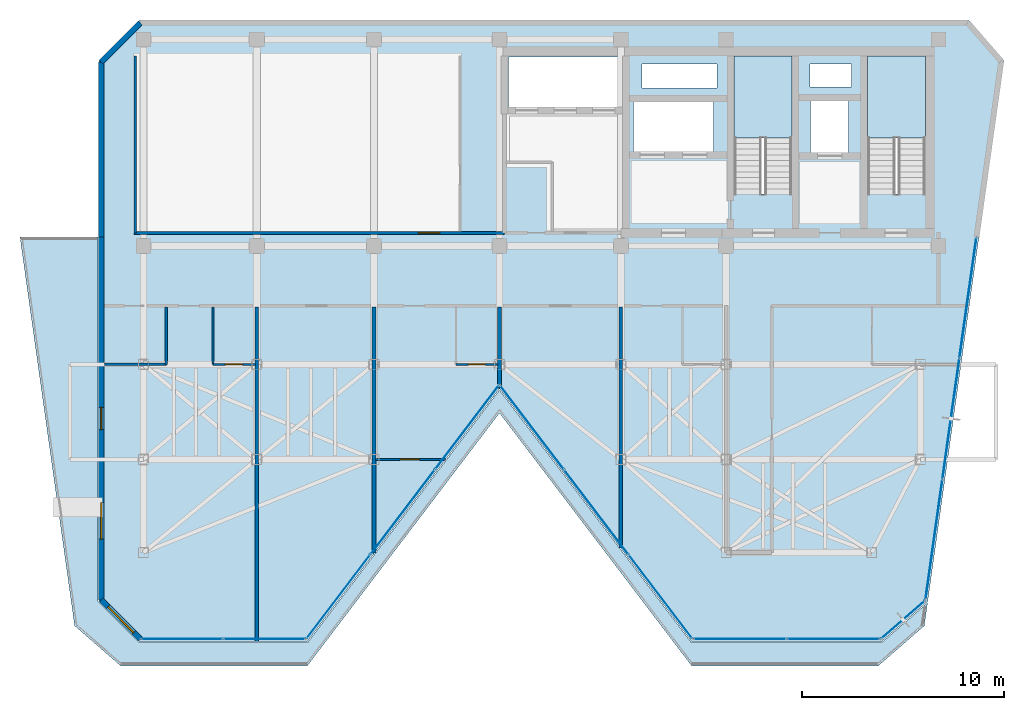
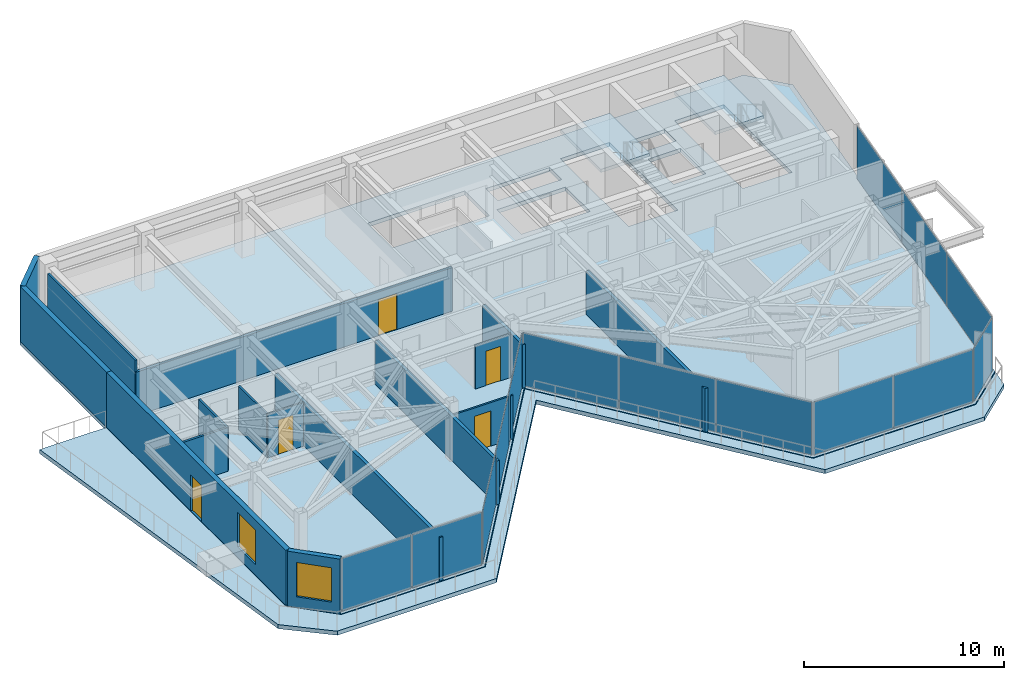
# One storey, part 16 of 20: 16 walls, 14 plates, 5 doors, 4 slabs, 2 windows, 7 openings, 8 elements without a shape of their own.
"""IFC4 building model written with IfcOpenShell, lengths in metres."""

from ifc_helpers import new_model, si_unit, direction, frame, frame_2d, origin, origin_2d, place, context, subcontext, project, spatial, polyline, rectangle, outline, extrude, material, layer, layer_set, type_object, element, fill, aggregate, save


model = new_model("IFC4")

# Units and contexts
model_context = context("Model", 3, precision=1e-05, world=origin(), true_north=direction((0.0, 1.0)))
body_context = subcontext(model_context, "Body", "Model", "MODEL_VIEW")
ifc_project = project(units=[si_unit("LENGTHUNIT", "METRE"), si_unit("AREAUNIT", "SQUARE_METRE"), si_unit("VOLUMEUNIT", "CUBIC_METRE"), si_unit("PLANEANGLEUNIT", "RADIAN"), si_unit("MASSUNIT", "GRAM", prefix="KILO")], contexts=[model_context])

# Site, building, storey
site_placement = place(None, origin())
site = spatial("IfcSite", under=ifc_project, at=site_placement, CompositionType="ELEMENT")
building_placement = place(site_placement, origin())
building = spatial("IfcBuilding", under=site, at=building_placement, Name="Kravanh Interchange Tower", CompositionType="ELEMENT")
storey_placement = place(building_placement, frame((0.0, 0.0, 245.39990234375)))
storey = spatial("IfcBuildingStorey", under=building, at=storey_placement, Name="L59", CompositionType="ELEMENT", Elevation=245.39990234375)

# Curtain wall, plates
ifc_material_1 = material(Name="Anodised Bronze Aluminium", Category="aluminium")
ifc_layer_1 = layer(ifc_material_1, 0.179931640625)
ifc_layer_set_1 = layer_set([ifc_layer_1], Name="Unitised Curtain Wall System CW-HTL Luxury Hotel")
curtain_wall_type = type_object("IfcCurtainWallType", Name="Unitised Curtain Wall System CW-HTL Luxury Hotel", PredefinedType="NOTDEFINED", material=ifc_layer_set_1)
curtain_wall_1_placement = place(storey_placement, origin())
curtain_wall_1 = element("IfcCurtainWall", 1, at=curtain_wall_1_placement, inside=storey, type_object=curtain_wall_type, Name="L59 Unitised Curtain Wall CW-L59-01", PredefinedType="NOTDEFINED")
ifc_material_2 = material(Name="Low-E Laminated Architectural Glass", Category="glass")
ifc_layer_2 = layer(ifc_material_2, 0.030029296875)
ifc_layer_set_2 = layer_set([ifc_layer_2], Name="Acoustic Laminated Glazing 30mm")
plate_type = type_object("IfcPlateType", Name="Acoustic Laminated Glazing 30mm", PredefinedType="CURTAIN_PANEL", material=ifc_layer_set_2)
plate_1_placement = place(storey_placement, frame((67.9521484375, 34.7919921875, 0.06005859375), z_axis=(0.0, 0.0, 1.0), x_axis=(-0.139173721418, -0.990267981542, 0.0)))
plate_1 = element("IfcPlate", 2, at=plate_1_placement, type_object=plate_type, Name="CW-HTL panel 1.1", PredefinedType="CURTAIN_PANEL", context=body_context, shape_type="SweptSolid", body=[
    extrude(rectangle(XDim=5.955078125, YDim=0.030029296875, at=origin_2d()), origin(), (0.0, 0.0, 1.0), 3.239990234375),
])
plate_2_placement = place(storey_placement, frame((67.113037109375, 28.82080078125, 0.06005859375), z_axis=(0.0, 0.0, 1.0), x_axis=(-0.139173721418, -0.990267981542, 0.0)))
plate_2 = element("IfcPlate", 3, at=plate_2_placement, type_object=plate_type, Name="CW-HTL panel 2.1", PredefinedType="CURTAIN_PANEL", context=body_context, shape_type="SweptSolid", body=[
    extrude(rectangle(XDim=5.98486328125, YDim=0.030029296875, at=origin_2d()), origin(), (0.0, 0.0, 1.0), 3.239990234375),
])
plate_3_placement = place(storey_placement, frame((66.27392578125, 22.849609375, 0.06005859375), z_axis=(0.0, 0.0, 1.0), x_axis=(-0.139173721418, -0.990267981542, 0.0)))
plate_3 = element("IfcPlate", 4, at=plate_3_placement, type_object=plate_type, Name="CW-HTL panel 3.1", PredefinedType="CURTAIN_PANEL", context=body_context, shape_type="SweptSolid", body=[
    extrude(rectangle(XDim=5.955078125, YDim=0.030029296875, at=origin_2d()), origin(), (0.0, 0.0, 1.0), 3.239990234375),
])
aggregate(curtain_wall_1, [plate_1, plate_2, plate_3])

# Curtain wall, plate
curtain_wall_2_placement = place(storey_placement, origin())
curtain_wall_2 = element("IfcCurtainWall", 5, at=curtain_wall_2_placement, inside=storey, type_object=curtain_wall_type, Name="L59 Unitised Curtain Wall CW-L59-02", PredefinedType="NOTDEFINED")
plate_4_placement = place(storey_placement, frame((64.745849609375, 18.880859375, 0.06005859375), z_axis=(0.0, 0.0, 1.0), x_axis=(-0.754717231494, -0.656050227106, 0.0)))
plate_4 = element("IfcPlate", 6, at=plate_4_placement, type_object=plate_type, Name="CW-HTL panel 1.1", PredefinedType="CURTAIN_PANEL", context=body_context, shape_type="SweptSolid", body=[
    extrude(rectangle(XDim=2.80908203125, YDim=0.030029296875, at=origin_2d()), origin(), (0.0, 0.0, 1.0), 3.239990234375),
])
aggregate(curtain_wall_2, [plate_4])

# Curtain wall, plates
curtain_wall_3_placement = place(storey_placement, origin())
curtain_wall_3 = element("IfcCurtainWall", 7, at=curtain_wall_3_placement, inside=storey, type_object=curtain_wall_type, Name="L59 Unitised Curtain Wall CW-L59-03", PredefinedType="NOTDEFINED")
plate_5_placement = place(storey_placement, frame((61.30517578125, 17.919921875, 0.06005859375), z_axis=(0.0, 0.0, 1.0), x_axis=(-1.0, 0.0, 0.0)))
plate_5 = element("IfcPlate", 8, at=plate_5_placement, type_object=plate_type, Name="CW-HTL panel 1.1", PredefinedType="CURTAIN_PANEL", context=body_context, shape_type="SweptSolid", body=[
    extrude(rectangle(XDim=4.550537109375, YDim=0.030029296875, at=origin_2d()), origin(), (0.0, 0.0, 1.0), 3.239990234375),
])
plate_6_placement = place(storey_placement, frame((56.69482421875, 17.919921875, 0.06005859375), z_axis=(0.0, 0.0, 1.0), x_axis=(-1.0, 0.0, 0.0)))
plate_6 = element("IfcPlate", 9, at=plate_6_placement, type_object=plate_type, Name="CW-HTL panel 2.1", PredefinedType="CURTAIN_PANEL", context=body_context, shape_type="SweptSolid", body=[
    extrude(rectangle(XDim=4.550537109375, YDim=0.030029296875, at=origin_2d()), origin(), (0.0, 0.0, 1.0), 3.239990234375),
])
aggregate(curtain_wall_3, [plate_5, plate_6])

curtain_wall_4_placement = place(storey_placement, origin())
curtain_wall_4 = element("IfcCurtainWall", 10, at=curtain_wall_4_placement, inside=storey, type_object=curtain_wall_type, Name="L59 Unitised Curtain Wall CW-L59-04", PredefinedType="NOTDEFINED")
plate_7_placement = place(storey_placement, frame((52.757080078125, 20.0283203125, 0.06005859375), z_axis=(0.0, 0.0, 1.0), x_axis=(-0.605082946564, 0.79616243806, 0.0)))
plate_7 = element("IfcPlate", 11, at=plate_7_placement, type_object=plate_type, Name="CW-HTL panel 1.1", PredefinedType="CURTAIN_PANEL", context=body_context, shape_type="SweptSolid", body=[
    extrude(rectangle(XDim=5.17626953125, YDim=0.030029296875, at=origin_2d()), origin(), (0.0, 0.0, 1.0), 3.239990234375),
])
plate_8_placement = place(storey_placement, frame((49.579833984375, 24.209228515625, 0.06005859375), z_axis=(0.0, 0.0, 1.0), x_axis=(-0.605082946564, 0.79616243806, 0.0)))
plate_8 = element("IfcPlate", 12, at=plate_8_placement, type_object=plate_type, Name="CW-HTL panel 2.1", PredefinedType="CURTAIN_PANEL", context=body_context, shape_type="SweptSolid", body=[
    extrude(rectangle(XDim=5.206298828125, YDim=0.030029296875, at=origin_2d()), origin(), (0.0, 0.0, 1.0), 3.239990234375),
])
plate_9_placement = place(storey_placement, frame((46.40234375, 28.389892578125, 0.06005859375), z_axis=(0.0, 0.0, 1.0), x_axis=(-0.605082946564, 0.79616243806, 0.0)))
plate_9 = element("IfcPlate", 13, at=plate_9_placement, type_object=plate_type, Name="CW-HTL panel 3.1", PredefinedType="CURTAIN_PANEL", context=body_context, shape_type="SweptSolid", body=[
    extrude(rectangle(XDim=5.17626953125, YDim=0.030029296875, at=origin_2d()), origin(), (0.0, 0.0, 1.0), 3.239990234375),
])
aggregate(curtain_wall_4, [plate_7, plate_8, plate_9])

curtain_wall_5_placement = place(storey_placement, origin())
curtain_wall_5 = element("IfcCurtainWall", 14, at=curtain_wall_5_placement, inside=storey, type_object=curtain_wall_type, Name="L59 Unitised Curtain Wall CW-L59-05", PredefinedType="NOTDEFINED")
plate_10_placement = place(storey_placement, frame((43.19775390625, 28.389892578125, 0.06005859375), z_axis=(0.0, 0.0, 1.0), x_axis=(-0.605082946564, -0.79616243806, 0.0)))
plate_10 = element("IfcPlate", 15, at=plate_10_placement, type_object=plate_type, Name="CW-HTL panel 1.1", PredefinedType="CURTAIN_PANEL", context=body_context, shape_type="SweptSolid", body=[
    extrude(rectangle(XDim=5.17626953125, YDim=0.030029296875, at=origin_2d()), origin(), (0.0, 0.0, 1.0), 3.239990234375),
])
plate_11_placement = place(storey_placement, frame((40.020263671875, 24.209228515625, 0.06005859375), z_axis=(0.0, 0.0, 1.0), x_axis=(-0.605082946564, -0.79616243806, 0.0)))
plate_11 = element("IfcPlate", 16, at=plate_11_placement, type_object=plate_type, Name="CW-HTL panel 2.1", PredefinedType="CURTAIN_PANEL", context=body_context, shape_type="SweptSolid", body=[
    extrude(rectangle(XDim=5.206298828125, YDim=0.030029296875, at=origin_2d()), origin(), (0.0, 0.0, 1.0), 3.239990234375),
])
plate_12_placement = place(storey_placement, frame((36.8427734375, 20.0283203125, 0.06005859375), z_axis=(0.0, 0.0, 1.0), x_axis=(-0.605082946564, -0.79616243806, 0.0)))
plate_12 = element("IfcPlate", 17, at=plate_12_placement, type_object=plate_type, Name="CW-HTL panel 3.1", PredefinedType="CURTAIN_PANEL", context=body_context, shape_type="SweptSolid", body=[
    extrude(rectangle(XDim=5.17626953125, YDim=0.030029296875, at=origin_2d()), origin(), (0.0, 0.0, 1.0), 3.239990234375),
])
aggregate(curtain_wall_5, [plate_10, plate_11, plate_12])

curtain_wall_6_placement = place(storey_placement, origin())
curtain_wall_6 = element("IfcCurtainWall", 18, at=curtain_wall_6_placement, inside=storey, type_object=curtain_wall_type, Name="L59 Unitised Curtain Wall CW-L59-06", PredefinedType="NOTDEFINED")
plate_13_placement = place(storey_placement, frame((33.177734375, 17.919921875, 0.06005859375), z_axis=(0.0, 0.0, 1.0), x_axis=(-1.0, 0.0, 0.0)))
plate_13 = element("IfcPlate", 19, at=plate_13_placement, type_object=plate_type, Name="CW-HTL panel 1.1", PredefinedType="CURTAIN_PANEL", context=body_context, shape_type="SweptSolid", body=[
    extrude(rectangle(XDim=4.00537109375, YDim=0.030029296875, at=origin_2d()), origin(), (0.0, 0.0, 1.0), 3.239990234375),
])
plate_14_placement = place(storey_placement, frame((29.1123046875, 17.919921875, 0.06005859375), z_axis=(0.0, 0.0, 1.0), x_axis=(-1.0, 0.0, 0.0)))
plate_14 = element("IfcPlate", 20, at=plate_14_placement, type_object=plate_type, Name="CW-HTL panel 2.1", PredefinedType="CURTAIN_PANEL", context=body_context, shape_type="SweptSolid", body=[
    extrude(rectangle(XDim=4.00537109375, YDim=0.030029296875, at=origin_2d()), origin(), (0.0, 0.0, 1.0), 3.239990234375),
])
aggregate(curtain_wall_6, [plate_13, plate_14])

# Slab
ifc_material_3 = material(Name="Concrete C50/60", Category="concrete")
ifc_layer_3 = layer(ifc_material_3, 0.239990234375)
ifc_layer_set_3 = layer_set([ifc_layer_3], Name="Composite Floor Slab Concrete C50/60 240mm")
slab_type_1 = type_object("IfcSlabType", Name="Composite Floor Slab Concrete C50/60 240mm", PredefinedType="FLOOR", material=ifc_layer_set_3)
slab_1_placement = place(storey_placement, frame((0.0, 0.0, -0.239990234375)))
element("IfcSlab", 21, at=slab_1_placement, inside=storey, type_object=slab_type_1, Name="L59 Structural Floor Slab", PredefinedType="FLOOR", context=body_context, shape_type="SweptSolid", body=[
    extrude(outline(polyline([(25.0, 19.800048828125), (27.0, 17.800048828125), (35.300048828125, 17.800048828125), (44.800048828125, 30.300048828125), (54.300048828125, 17.800048828125), (63.685302734375, 17.800048828125), (65.963623046875, 19.780517578125), (69.7216796875, 46.51953125), (68.0, 48.5), (27.0, 48.5), (25.0, 46.5), (25.0, 19.800048828125)]), holes=[polyline([(65.85009765625, 39.925048828125), (65.85009765625, 46.75), (63.0, 46.75), (63.0, 39.925048828125), (65.85009765625, 39.925048828125)]), polyline([(59.25, 39.925048828125), (59.25, 46.75), (56.39990234375, 46.75), (56.39990234375, 39.925048828125), (59.25, 39.925048828125)]), polyline([(45.239990234375, 44.219970703125), (50.840087890625, 44.219970703125), (50.840087890625, 46.699951171875), (45.239990234375, 46.699951171875), (45.239990234375, 44.219970703125)]), polyline([(51.419921875, 42.02001953125), (55.3798828125, 42.02001953125), (55.3798828125, 44.47998046875), (51.419921875, 44.47998046875), (51.419921875, 42.02001953125)]), polyline([(60.179931640625, 41.97998046875), (62.06005859375, 41.97998046875), (62.06005859375, 44.52001953125), (60.179931640625, 44.52001953125), (60.179931640625, 41.97998046875)]), polyline([(60.14990234375, 45.199951171875), (62.199951171875, 45.199951171875), (62.199951171875, 46.35009765625), (60.14990234375, 46.35009765625), (60.14990234375, 45.199951171875)]), polyline([(51.85009765625, 45.14990234375), (55.550048828125, 45.14990234375), (55.550048828125, 46.35009765625), (51.85009765625, 46.35009765625), (51.85009765625, 45.14990234375)])]), origin(), (0.0, 0.0, 1.0), 0.239990234375),
])

# Stair, slab
ifc_material_4 = material(Name="Concrete C50/60", Category="concrete")
stair_type = type_object("IfcStairType", Name="Core Fire Exit Dogleg Stair Concrete C50/60", PredefinedType="HALF_TURN_STAIR", material=ifc_material_4)
stair_1_placement = place(storey_placement, origin())
stair_1 = element("IfcStair", 22, at=stair_1_placement, inside=storey, type_object=stair_type, Name="L59 Exit Stair ST1", PredefinedType="HALF_TURN_STAIR")
ifc_material_5 = material(Name="Concrete C50/60", Category="concrete")
ifc_layer_4 = layer(ifc_material_5, 0.199951171875)
ifc_layer_set_4 = layer_set([ifc_layer_4], Name="Concrete C50/60 Stair Half-Landing Slab 200mm")
slab_type_2 = type_object("IfcSlabType", Name="Concrete C50/60 Stair Half-Landing Slab 200mm", PredefinedType="LANDING", material=ifc_layer_set_4)
slab_2_placement = place(storey_placement, frame((0.0, 0.0, 1.60009765625)))
slab_2 = element("IfcSlab", 23, at=slab_2_placement, type_object=slab_type_2, Name="ST1 landing 1", PredefinedType="LANDING", context=body_context, shape_type="SweptSolid", body=[
    extrude(outline(polyline([(65.85009765625, 42.699951171875), (65.85009765625, 46.75), (63.0, 46.75), (63.0, 42.699951171875), (65.85009765625, 42.699951171875)])), origin(), (0.0, 0.0, 1.0), 0.199951171875),
])
aggregate(stair_1, [slab_2])

stair_2_placement = place(storey_placement, origin())
stair_2 = element("IfcStair", 24, at=stair_2_placement, inside=storey, type_object=stair_type, Name="L59 Exit Stair ST2", PredefinedType="HALF_TURN_STAIR")
slab_3_placement = place(storey_placement, frame((0.0, 0.0, 1.60009765625)))
slab_3 = element("IfcSlab", 25, at=slab_3_placement, type_object=slab_type_2, Name="ST2 landing 1", PredefinedType="LANDING", context=body_context, shape_type="SweptSolid", body=[
    extrude(outline(polyline([(59.25, 42.699951171875), (59.25, 46.75), (56.39990234375, 46.75), (56.39990234375, 42.699951171875), (59.25, 42.699951171875)])), origin(), (0.0, 0.0, 1.0), 0.199951171875),
])
aggregate(stair_2, [slab_3])

# Slab
ifc_material_6 = material(Name="Concrete C50/60", Category="concrete")
ifc_layer_5 = layer(ifc_material_6, 0.25)
ifc_layer_set_5 = layer_set([ifc_layer_5], Name="Insulated Terrace Roof Slab Concrete C50/60 250mm")
slab_type_3 = type_object("IfcSlabType", Name="Insulated Terrace Roof Slab Concrete C50/60 250mm", PredefinedType="ROOF", material=ifc_layer_set_5)
slab_4_placement = place(storey_placement, frame((0.0, 0.0, -0.25)))
element("IfcSlab", 26, at=slab_4_placement, inside=storey, type_object=slab_type_3, Name="L59 Stepped Terrace Roof 1", PredefinedType="ROOF", context=body_context, shape_type="SweptSolid", body=[
    extrude(outline(polyline([(63.5166015625, 16.60009765625), (54.300048828125, 16.60009765625), (44.800048828125, 29.10009765625), (35.300048828125, 16.60009765625), (26.083251953125, 16.60009765625), (23.804931640625, 18.58056640625), (21.103759765625, 37.800048828125), (24.9599609375, 37.800048828125), (24.9599609375, 19.783447265625), (26.9833984375, 17.760009765625), (35.31982421875, 17.760009765625), (44.800048828125, 30.23388671875), (54.2802734375, 17.760009765625), (63.700439453125, 17.760009765625), (65.955322265625, 19.72021484375), (65.795166015625, 18.58056640625), (63.5166015625, 16.60009765625)])), origin(), (0.0, 0.0, 1.0), 0.25),
])

# Walls
ifc_material_7 = material(Name="Double Acoustic Gypsum Board and Mineral Wool")
ifc_layer_6 = layer(ifc_material_7, 0.1201171875)
ifc_layer_set_6 = layer_set([ifc_layer_6], Name="Acoustic Office Drywall Partition 120mm")
wall_type_1 = type_object("IfcWallType", Name="Acoustic Office Drywall Partition 120mm", PredefinedType="PARTITIONING", material=ifc_layer_set_6)
wall_1_placement = place(storey_placement, frame((26.800048828125, 38.0, 0.0), z_axis=(0.0, 0.0, 1.0), x_axis=(0.0, 1.0, 0.0)))
element("IfcWall", 27, at=wall_1_placement, inside=storey, type_object=wall_type_1, Name="L59 Interior Partition 6", PredefinedType="PARTITIONING", context=body_context, shape_type="SweptSolid", body=[
    extrude(rectangle(XDim=8.75, YDim=0.1201171875, at=frame_2d((4.375, 0.0))), origin(), (0.0, 0.0, 1.0), 3.360107421875),
])
wall_2_placement = place(storey_placement, frame((28.340087890625, 31.5, 0.0), z_axis=(0.0, 0.0, 1.0), x_axis=(0.0, 1.0, 0.0)))
element("IfcWall", 28, at=wall_2_placement, inside=storey, type_object=wall_type_1, Name="L59 Interior Partition 14", PredefinedType="PARTITIONING", context=body_context, shape_type="SweptSolid", body=[
    extrude(rectangle(XDim=2.83203125, YDim=0.1201171875, at=frame_2d((1.416015625, 0.0))), origin(), (0.0, 0.0, 1.0), 2.6640625),
])
wall_3_placement = place(storey_placement, frame((25.284912109375, 31.5, 0.0), z_axis=(0.0, 0.0, 1.0), x_axis=(1.0, 0.0, 0.0)))
element("IfcWall", 29, at=wall_3_placement, inside=storey, type_object=wall_type_1, Name="L59 Interior Partition 15", PredefinedType="PARTITIONING", context=body_context, shape_type="SweptSolid", body=[
    extrude(rectangle(XDim=3.05517578125, YDim=0.1201171875, at=frame_2d((1.527587890625, 0.0))), origin(), (0.0, 0.0, 1.0), 2.6640625),
])
ifc_material_8 = material(Name="Moisture-Resistant Gypsum Board and Mineral Wool")
ifc_layer_7 = layer(ifc_material_8, 0.10009765625)
ifc_layer_set_7 = layer_set([ifc_layer_7], Name="En-Suite Moisture-Resistant Partition 100mm")
wall_type_2 = type_object("IfcWallType", Name="En-Suite Moisture-Resistant Partition 100mm", PredefinedType="PARTITIONING", material=ifc_layer_set_7)
wall_4_placement = place(storey_placement, frame((30.64990234375, 31.5, 0.0), z_axis=(0.0, 0.0, 1.0), x_axis=(0.0, 1.0, 0.0)))
element("IfcWall", 30, at=wall_4_placement, inside=storey, type_object=wall_type_2, Name="L59 Interior Partition 18", PredefinedType="PARTITIONING", context=body_context, shape_type="SweptSolid", body=[
    extrude(rectangle(XDim=2.83203125, YDim=0.10009765625, at=frame_2d((1.416015625, 0.0))), origin(), (0.0, 0.0, 1.0), 2.6640625),
])

# Wall, opening, door
wall_5_placement = place(storey_placement, frame((30.64990234375, 31.5, 0.0), z_axis=(0.0, 0.0, 1.0), x_axis=(1.0, 0.0, 0.0)))
wall_5 = element("IfcWall", 31, at=wall_5_placement, inside=storey, type_object=wall_type_2, Name="L59 Interior Partition 19", PredefinedType="PARTITIONING", context=body_context, shape_type="SweptSolid", body=[
    extrude(rectangle(XDim=2.08203125, YDim=0.10009765625, at=frame_2d((1.041015625, 0.0))), origin(), (0.0, 0.0, 1.0), 2.6640625),
])
opening_1_placement = place(wall_5_placement, frame((0.607421875, 0.0, 0.0)))
opening_1 = element("IfcOpeningElement", 32, at=opening_1_placement, cuts=wall_5, Name="Opening D-85", PredefinedType="OPENING", context=body_context, shape_type="SweptSolid", body=[
    extrude(rectangle(XDim=0.85009765625, YDim=2.10009765625, at=frame_2d((0.425048828125, 1.050048828125))), frame((0.0, 0.06005859375, 0.0), z_axis=(0.0, -1.0, 0.0), x_axis=(1.0, 0.0, 0.0)), (0.0, 0.0, 1.0), 0.1201171875),
])
ifc_material_9 = material(Name="Engineered Teak Veneer Timber", Category="wood")
door_type_1 = type_object("IfcDoorType", Name="En-Suite Timber Door 850x2100", OperationType="NOTDEFINED", PredefinedType="DOOR", material=ifc_material_9)
door_1_placement = place(opening_1_placement, origin())
door_1 = element("IfcDoor", 33, at=door_1_placement, inside=storey, type_object=door_type_1, Name="L59 En-suite Bathroom Door", OperationType="SINGLE_SWING_LEFT", OverallHeight=2.10009765625, OverallWidth=0.85009765625, PredefinedType="DOOR", context=body_context, shape_type="SweptSolid", body=[
    extrude(rectangle(XDim=0.85009765625, YDim=2.10009765625, at=frame_2d((0.425048828125, 1.050048828125))), frame((0.0, 0.02490234375, 0.0), z_axis=(0.0, -1.0, 0.0), x_axis=(1.0, 0.0, 0.0)), (0.0, 0.0, 1.0), 0.050048828125),
])
fill(opening_1, door_1)

wall_6_placement = place(storey_placement, frame((38.66796875, 26.800048828125, 0.0), z_axis=(0.0, 0.0, 1.0), x_axis=(1.0, 0.0, 0.0)))
wall_6 = element("IfcWall", 34, at=wall_6_placement, inside=storey, type_object=wall_type_2, Name="L59 Interior Partition 22", PredefinedType="PARTITIONING", context=body_context, shape_type="SweptSolid", body=[
    extrude(rectangle(XDim=3.453125, YDim=0.10009765625, at=frame_2d((1.7265625, 0.0))), origin(), (0.0, 0.0, 1.0), 2.6640625),
])
opening_2_placement = place(wall_6_placement, frame((1.217529296875, 0.0, 0.0)))
opening_2 = element("IfcOpeningElement", 35, at=opening_2_placement, cuts=wall_6, Name="Opening D-95", PredefinedType="OPENING", context=body_context, shape_type="SweptSolid", body=[
    extrude(rectangle(XDim=0.949951171875, YDim=2.14990234375, at=frame_2d((0.47509765625, 1.074951171875))), frame((0.0, 0.06005859375, 0.0), z_axis=(0.0, -1.0, 0.0), x_axis=(1.0, 0.0, 0.0)), (0.0, 0.0, 1.0), 0.1201171875),
])
ifc_material_10 = material(Name="Laminate Solid-Core Timber", Category="wood")
door_type_2 = type_object("IfcDoorType", Name="Accessible Restroom Door 950x2150", OperationType="NOTDEFINED", PredefinedType="DOOR", material=ifc_material_10)
door_2_placement = place(opening_2_placement, origin())
door_2 = element("IfcDoor", 36, at=door_2_placement, inside=storey, type_object=door_type_2, Name="L59 Sunroom Alcove Inner Door", OperationType="SINGLE_SWING_LEFT", OverallHeight=2.14990234375, OverallWidth=0.949951171875, PredefinedType="DOOR", context=body_context, shape_type="SweptSolid", body=[
    extrude(rectangle(XDim=0.949951171875, YDim=2.14990234375, at=frame_2d((0.47509765625, 1.074951171875))), frame((0.0, 0.02490234375, 0.0), z_axis=(0.0, -1.0, 0.0), x_axis=(1.0, 0.0, 0.0)), (0.0, 0.0, 1.0), 0.050048828125),
])
fill(opening_2, door_2)

wall_7_placement = place(storey_placement, frame((42.64990234375, 31.5, 0.0), z_axis=(0.0, 0.0, 1.0), x_axis=(1.0, 0.0, 0.0)))
wall_7 = element("IfcWall", 37, at=wall_7_placement, inside=storey, type_object=wall_type_2, Name="L59 Interior Partition 24", PredefinedType="PARTITIONING", context=body_context, shape_type="SweptSolid", body=[
    extrude(rectangle(XDim=2.08203125, YDim=0.10009765625, at=frame_2d((1.041015625, 0.0))), origin(), (0.0, 0.0, 1.0), 2.6640625),
])
opening_3_placement = place(wall_7_placement, frame((0.607421875, 0.0, 0.0)))
opening_3 = element("IfcOpeningElement", 38, at=opening_3_placement, cuts=wall_7, Name="Opening D-85", PredefinedType="OPENING", context=body_context, shape_type="SweptSolid", body=[
    extrude(rectangle(XDim=0.85009765625, YDim=2.10009765625, at=frame_2d((0.425048828125, 1.050048828125))), frame((0.0, 0.06005859375, 0.0), z_axis=(0.0, -1.0, 0.0), x_axis=(1.0, 0.0, 0.0)), (0.0, 0.0, 1.0), 0.1201171875),
])
door_3_placement = place(opening_3_placement, origin())
door_3 = element("IfcDoor", 39, at=door_3_placement, inside=storey, type_object=door_type_1, Name="L59 En-suite Bathroom Door", OperationType="SINGLE_SWING_LEFT", OverallHeight=2.10009765625, OverallWidth=0.85009765625, PredefinedType="DOOR", context=body_context, shape_type="SweptSolid", body=[
    extrude(rectangle(XDim=0.85009765625, YDim=2.10009765625, at=frame_2d((0.425048828125, 1.050048828125))), frame((0.0, 0.02490234375, 0.0), z_axis=(0.0, -1.0, 0.0), x_axis=(1.0, 0.0, 0.0)), (0.0, 0.0, 1.0), 0.050048828125),
])
fill(opening_3, door_3)

# Wall, openings, door, window
ifc_material_11 = material(Name="Insulated Precast Concrete C40/50 with Bronze Cladding", Category="concrete")
ifc_layer_8 = layer(ifc_material_11, 0.280029296875)
ifc_layer_set_8 = layer_set([ifc_layer_8], Name="Exterior Insulated Concrete C40/50 Bronze Spandrel Wall 280mm")
wall_type_3 = type_object("IfcWallType", Name="Exterior Insulated Concrete C40/50 Bronze Spandrel Wall 280mm", PredefinedType="STANDARD", material=ifc_layer_set_8)
wall_8_placement = place(storey_placement, frame((25.1201171875, 19.849609375, 0.0), z_axis=(0.0, 0.0, 1.0), x_axis=(0.0, 1.0, 0.0)))
wall_8 = element("IfcWall", 40, at=wall_8_placement, inside=storey, type_object=wall_type_3, Name="L59 Exterior Wall 1", PredefinedType="STANDARD", context=body_context, shape_type="SweptSolid", body=[
    extrude(rectangle(XDim=17.950439453125, YDim=0.280029296875, at=frame_2d((8.97509765625, 0.0))), origin(), (0.0, 0.0, 1.0), 3.360107421875),
])
opening_4_placement = place(wall_8_placement, frame((8.425048828125, 0.0, 0.0)))
opening_4 = element("IfcOpeningElement", 41, at=opening_4_placement, cuts=wall_8, Name="Opening ED-TERR110", PredefinedType="OPENING", context=body_context, shape_type="SweptSolid", body=[
    extrude(rectangle(XDim=1.10009765625, YDim=2.199951171875, at=frame_2d((0.550048828125, 1.10009765625))), frame((0.0, 0.14990234375, 0.0), z_axis=(0.0, -1.0, 0.0), x_axis=(1.0, 0.0, 0.0)), (0.0, 0.0, 1.0), 0.300048828125),
])
opening_5_placement = place(wall_8_placement, frame((3.018798828125, 0.0, 0.64990234375)))
opening_5 = element("IfcOpeningElement", 42, at=opening_5_placement, cuts=wall_8, Name="Opening WN-180X210", PredefinedType="OPENING", context=body_context, shape_type="SweptSolid", body=[
    extrude(rectangle(XDim=1.800048828125, YDim=2.10009765625, at=frame_2d((0.89990234375, 1.050048828125))), frame((0.0, 0.14990234375, 0.0), z_axis=(0.0, -1.0, 0.0), x_axis=(1.0, 0.0, 0.0)), (0.0, 0.0, 1.0), 0.300048828125),
])
ifc_material_12 = material(Name="Thermally Broken Bronze Aluminium and Laminated Glass", Category="aluminium")
door_type_3 = type_object("IfcDoorType", Name="Terrace Access Glazed Door 1100x2200", OperationType="NOTDEFINED", PredefinedType="DOOR", material=ifc_material_12)
door_4_placement = place(opening_4_placement, origin())
door_4 = element("IfcDoor", 43, at=door_4_placement, inside=storey, type_object=door_type_3, Name="L59 Stepped Sky Terrace Access Door", OperationType="SINGLE_SWING_RIGHT", OverallHeight=2.199951171875, OverallWidth=1.10009765625, PredefinedType="DOOR", context=body_context, shape_type="SweptSolid", body=[
    extrude(rectangle(XDim=1.10009765625, YDim=2.199951171875, at=frame_2d((0.550048828125, 1.10009765625))), frame((0.0, 0.02490234375, 0.0), z_axis=(0.0, -1.0, 0.0), x_axis=(1.0, 0.0, 0.0)), (0.0, 0.0, 1.0), 0.050048828125),
])
fill(opening_4, door_4)
ifc_material_13 = material(Name="Thermally Broken Bronze Aluminium and Low-E Glass", Category="aluminium")
window_type = type_object("IfcWindowType", Name="Tower Pier Window 1800x2100", PartitioningType="SINGLE_PANEL", PredefinedType="WINDOW", material=ifc_material_13)
window_1_placement = place(opening_5_placement, origin())
window_1 = element("IfcWindow", 44, at=window_1_placement, inside=storey, type_object=window_type, Name="L59 Terrace Facade Window", OverallHeight=2.10009765625, OverallWidth=1.800048828125, PartitioningType="SINGLE_PANEL", PredefinedType="WINDOW", context=body_context, shape_type="SweptSolid", body=[
    extrude(rectangle(XDim=1.800048828125, YDim=2.10009765625, at=frame_2d((0.89990234375, 1.050048828125))), frame((0.0, 0.030029296875, 0.0), z_axis=(0.0, -1.0, 0.0), x_axis=(1.0, 0.0, 0.0)), (0.0, 0.0, 1.0), 0.06005859375),
])
fill(opening_5, window_1)

# Walls
wall_9_placement = place(storey_placement, frame((25.1201171875, 37.800048828125, 0.0), z_axis=(0.0, 0.0, 1.0), x_axis=(0.0, 1.0, 0.0)))
element("IfcWall", 45, at=wall_9_placement, inside=storey, type_object=wall_type_3, Name="L59 Exterior Wall 2", PredefinedType="STANDARD", context=body_context, shape_type="SweptSolid", body=[
    extrude(rectangle(XDim=8.650146484375, YDim=0.280029296875, at=frame_2d((4.3251953125, 0.0))), origin(), (0.0, 0.0, 1.0), 3.360107421875),
])
wall_10_placement = place(storey_placement, frame((25.1201171875, 46.4501953125, 0.0), z_axis=(0.0, 0.0, 1.0), x_axis=(0.707106781187, 0.707106781187, 0.0)))
element("IfcWall", 46, at=wall_10_placement, inside=storey, type_object=wall_type_3, Name="L59 Exterior Wall 3", PredefinedType="STANDARD", context=body_context, shape_type="SweptSolid", body=[
    extrude(rectangle(XDim=2.72900390625, YDim=0.280029296875, at=frame_2d((1.364501953125, 0.0))), origin(), (0.0, 0.0, 1.0), 3.360107421875),
])

# Wall, opening, window
wall_11_placement = place(storey_placement, frame((27.0498046875, 17.919921875, 0.0), z_axis=(0.0, 0.0, 1.0), x_axis=(-0.707106781187, 0.707106781187, 0.0)))
wall_11 = element("IfcWall", 47, at=wall_11_placement, inside=storey, type_object=wall_type_3, Name="L59 Exterior Wall 7", PredefinedType="STANDARD", context=body_context, shape_type="SweptSolid", body=[
    extrude(rectangle(XDim=2.72900390625, YDim=0.280029296875, at=frame_2d((1.364501953125, 0.0))), origin(), (0.0, 0.0, 1.0), 3.360107421875),
])
opening_6_placement = place(wall_11_placement, frame((0.455078125, 0.0, 0.64990234375)))
opening_6 = element("IfcOpeningElement", 48, at=opening_6_placement, cuts=wall_11, Name="Opening WN-180X210", PredefinedType="OPENING", context=body_context, shape_type="SweptSolid", body=[
    extrude(rectangle(XDim=1.800048828125, YDim=2.10009765625, at=frame_2d((0.89990234375, 1.050048828125))), frame((0.0, 0.14990234375, 0.0), z_axis=(0.0, -1.0, 0.0), x_axis=(1.0, 0.0, 0.0)), (0.0, 0.0, 1.0), 0.300048828125),
])
window_2_placement = place(opening_6_placement, origin())
window_2 = element("IfcWindow", 49, at=window_2_placement, inside=storey, type_object=window_type, Name="L59 Corner Window 7", OverallHeight=2.10009765625, OverallWidth=1.800048828125, PartitioningType="SINGLE_PANEL", PredefinedType="WINDOW", context=body_context, shape_type="SweptSolid", body=[
    extrude(rectangle(XDim=1.800048828125, YDim=2.10009765625, at=frame_2d((0.89990234375, 1.050048828125))), frame((0.0, 0.030029296875, 0.0), z_axis=(0.0, -1.0, 0.0), x_axis=(1.0, 0.0, 0.0)), (0.0, 0.0, 1.0), 0.06005859375),
])
fill(opening_6, window_2)

# Walls
ifc_material_14 = material(Name="Autoclaved Aerated Concrete C30/37 Blockwork", Category="masonry")
ifc_layer_9 = layer(ifc_material_14, 0.179931640625)
ifc_layer_set_9 = layer_set([ifc_layer_9], Name="Fire-Rated Lobby and Corridor Wall Concrete C30/37 180mm")
wall_type_4 = type_object("IfcWallType", Name="Fire-Rated Lobby and Corridor Wall Concrete C30/37 180mm", PredefinedType="STANDARD", material=ifc_layer_set_9)
wall_12_placement = place(storey_placement, frame((32.800048828125, 17.81494140625, 0.0), z_axis=(0.0, 0.0, 1.0), x_axis=(0.0, 1.0, 0.0)))
element("IfcWall", 50, at=wall_12_placement, inside=storey, type_object=wall_type_4, Name="L59 Interior Partition 20", PredefinedType="STANDARD", context=body_context, shape_type="SweptSolid", body=[
    extrude(rectangle(XDim=16.51708984375, YDim=0.179931640625, at=frame_2d((8.258544921875, 0.0))), origin(), (0.0, 0.0, 1.0), 2.6640625),
])
wall_13_placement = place(storey_placement, frame((38.60009765625, 22.1669921875, 0.0), z_axis=(0.0, 0.0, 1.0), x_axis=(0.0, 1.0, 0.0)))
element("IfcWall", 51, at=wall_13_placement, inside=storey, type_object=wall_type_4, Name="L59 Interior Partition 21", PredefinedType="STANDARD", context=body_context, shape_type="SweptSolid", body=[
    extrude(rectangle(XDim=12.1650390625, YDim=0.179931640625, at=frame_2d((6.08251953125, 0.0))), origin(), (0.0, 0.0, 1.0), 2.6640625),
])
wall_14_placement = place(storey_placement, frame((44.800048828125, 30.32470703125, 0.0), z_axis=(0.0, 0.0, 1.0), x_axis=(0.0, 1.0, 0.0)))
element("IfcWall", 52, at=wall_14_placement, inside=storey, type_object=wall_type_4, Name="L59 Interior Partition 25", PredefinedType="STANDARD", context=body_context, shape_type="SweptSolid", body=[
    extrude(rectangle(XDim=4.00732421875, YDim=0.179931640625, at=frame_2d((2.003662109375, 0.0))), origin(), (0.0, 0.0, 1.0), 2.6640625),
])
wall_15_placement = place(storey_placement, frame((50.800048828125, 22.43017578125, 0.0), z_axis=(0.0, 0.0, 1.0), x_axis=(0.0, 1.0, 0.0)))
element("IfcWall", 53, at=wall_15_placement, inside=storey, type_object=wall_type_4, Name="L59 Interior Partition 26", PredefinedType="STANDARD", context=body_context, shape_type="SweptSolid", body=[
    extrude(rectangle(XDim=11.90185546875, YDim=0.179931640625, at=frame_2d((5.950927734375, 0.0))), origin(), (0.0, 0.0, 1.0), 2.6640625),
])

# Wall, opening, door
ifc_material_15 = material(Name="Twin Stud Acoustic Gypsum Board Wall")
ifc_layer_10 = layer(ifc_material_15, 0.14990234375)
ifc_layer_set_10 = layer_set([ifc_layer_10], Name="Medium-Duty Acoustic Partition 150mm")
wall_type_5 = type_object("IfcWallType", Name="Medium-Duty Acoustic Partition 150mm", PredefinedType="PARTITIONING", material=ifc_layer_set_10)
wall_16_placement = place(storey_placement, frame((26.75, 38.0, 0.0), z_axis=(0.0, 0.0, 1.0), x_axis=(1.0, 0.0, 0.0)))
wall_16 = element("IfcWall", 54, at=wall_16_placement, inside=storey, type_object=wall_type_5, Name="L59 Interior Partition 5", PredefinedType="PARTITIONING", context=body_context, shape_type="SweptSolid", body=[
    extrude(rectangle(XDim=18.300048828125, YDim=0.14990234375, at=frame_2d((9.14990234375, 0.0))), origin(), (0.0, 0.0, 1.0), 2.6640625),
])
opening_7_placement = place(wall_16_placement, frame((14.0419921875, 0.0, 0.0)))
opening_7 = element("IfcOpeningElement", 55, at=opening_7_placement, cuts=wall_16, Name="Opening D-105", PredefinedType="OPENING", context=body_context, shape_type="SweptSolid", body=[
    extrude(rectangle(XDim=1.050048828125, YDim=2.199951171875, at=frame_2d((0.52490234375, 1.10009765625))), frame((0.0, 0.0849609375, 0.0), z_axis=(0.0, -1.0, 0.0), x_axis=(1.0, 0.0, 0.0)), (0.0, 0.0, 1.0), 0.169921875),
])
ifc_material_16 = material(Name="Acoustic Glazed Oak and Aluminium", Category="aluminium")
door_type_4 = type_object("IfcDoorType", Name="Office Workplace Door 1050x2200", OperationType="NOTDEFINED", PredefinedType="DOOR", material=ifc_material_16)
door_5_placement = place(opening_7_placement, origin())
door_5 = element("IfcDoor", 56, at=door_5_placement, inside=storey, type_object=door_type_4, Name="L59 North Wellness Lounge Door", OperationType="SINGLE_SWING_LEFT", OverallHeight=2.199951171875, OverallWidth=1.050048828125, PredefinedType="DOOR", context=body_context, shape_type="SweptSolid", body=[
    extrude(rectangle(XDim=1.050048828125, YDim=2.199951171875, at=frame_2d((0.52490234375, 1.10009765625))), frame((0.0, 0.02490234375, 0.0), z_axis=(0.0, -1.0, 0.0), x_axis=(1.0, 0.0, 0.0)), (0.0, 0.0, 1.0), 0.050048828125),
])
fill(opening_7, door_5)

save(model, "model.ifc")
